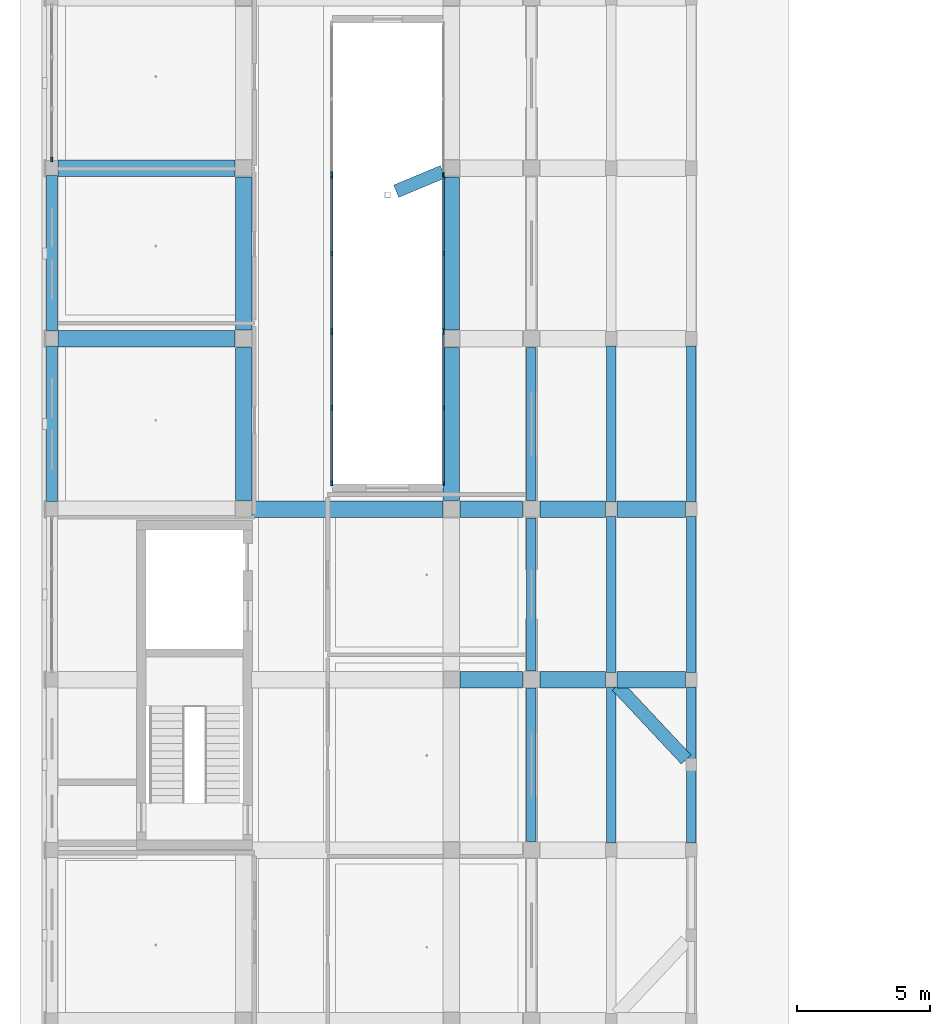
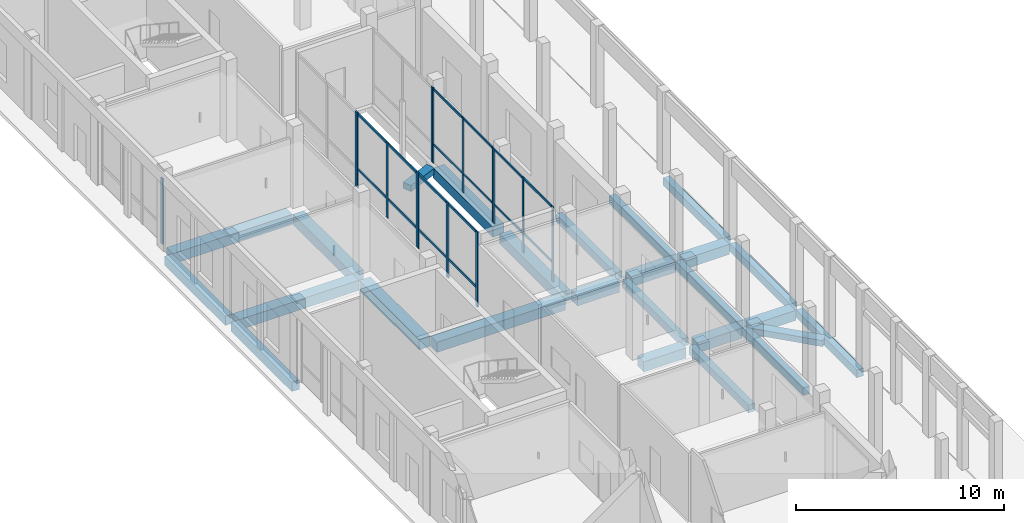
# One storey, part 19 of 88: 26 beams, 23 members, 7 elements without a shape of their own.
"""IFC4 building model written with IfcOpenShell, lengths in metres."""

from ifc_helpers import new_model, si_unit, derived_unit, direction, frame, origin, origin_2d, place, context, subcontext, project, spatial, rectangle, extrude, material, material_profile, profile_set, type_object, element, aggregate, save


model = new_model("IFC4")

# Units and contexts
model_context = context("Model", 3, precision=1e-05, world=origin(), true_north=direction((0.0, 1.0)))
body_context = subcontext(model_context, "Body", "Model", "MODEL_VIEW")
ifc_project = project(units=[si_unit("LENGTHUNIT", "METRE"), si_unit("AREAUNIT", "SQUARE_METRE"), si_unit("VOLUMEUNIT", "CUBIC_METRE"), si_unit("PLANEANGLEUNIT", "RADIAN"), si_unit("MASSUNIT", "GRAM", prefix="KILO"), derived_unit("THERMALTRANSMITTANCEUNIT", [(si_unit("POWERUNIT", "WATT"), 1), (si_unit("LENGTHUNIT", "METRE"), -2), (si_unit("THERMODYNAMICTEMPERATUREUNIT", "KELVIN"), -1)])], contexts=[model_context])

# Site, building, storey
site_placement = place(None, origin())
site = spatial("IfcSite", under=ifc_project, at=site_placement, CompositionType="ELEMENT")
building_placement = place(site_placement, origin())
building = spatial("IfcBuilding", under=site, at=building_placement, Name="Braskholm Square Health Centre", CompositionType="ELEMENT")
storey_placement = place(building_placement, origin())
storey = spatial("IfcBuildingStorey", under=building, at=storey_placement, Name="L01", CompositionType="ELEMENT", Elevation=0.0)

# Curtain wall, members
ifc_material_1 = material(Name="Low-E triple insulating glass (VLT 0.64)", Category="glass")
curtain_wall_type_1 = type_object("IfcCurtainWallType", Name="UnitisedCurtainWall5400x4400", PredefinedType="NOTDEFINED", material=ifc_material_1)
curtain_wall_1_placement = place(storey_placement, origin())
curtain_wall_1 = element("IfcCurtainWall", 1, at=curtain_wall_1_placement, inside=storey, type_object=curtain_wall_type_1, Name="WC1 Court E unitised curtain wall CW-L01-0250", PredefinedType="NOTDEFINED")
ifc_material_2 = material(Name="Architectural bronze anodised aluminium", Category="aluminium")
ifc_material_profile_1 = material_profile(ifc_material_2, rectangle(XDim=0.06494140625, YDim=0.14990234375, at=origin_2d()), Name="ALU-65X150")
ifc_profile_set_1 = profile_set([ifc_material_profile_1], Name="Architectural bronze anodised aluminium")
member_type_1 = type_object("IfcMemberType", Name="CurtainWallMullion65x150", PredefinedType="MULLION", material=ifc_profile_set_1)
member_1_placement = place(storey_placement, frame((18.89990234375, 36.427734375, 0.0), z_axis=(0.0, 0.0, 1.0), x_axis=(1.0, 0.0, 0.0)))
member_1 = element("IfcMember", 2, at=member_1_placement, type_object=member_type_1, Name="CW-L01-0250 vertical mullion 1", PredefinedType="MULLION", context=body_context, shape_type="SweptSolid", body=[
    extrude(rectangle(XDim=0.06494140625, YDim=0.14990234375, at=origin_2d()), origin(), (0.0, 0.0, 1.0), 4.419921875),
])
member_2_placement = place(storey_placement, frame((18.89990234375, 33.60107421875, 0.0), z_axis=(0.0, 0.0, 1.0), x_axis=(1.0, 0.0, 0.0)))
member_2 = element("IfcMember", 3, at=member_2_placement, type_object=member_type_1, Name="CW-L01-0250 vertical mullion 2", PredefinedType="MULLION", context=body_context, shape_type="SweptSolid", body=[
    extrude(rectangle(XDim=0.06494140625, YDim=0.14990234375, at=origin_2d()), origin(), (0.0, 0.0, 1.0), 4.419921875),
])
member_3_placement = place(storey_placement, frame((18.89990234375, 30.7744140625, 0.0), z_axis=(0.0, 0.0, 1.0), x_axis=(1.0, 0.0, 0.0)))
member_3 = element("IfcMember", 4, at=member_3_placement, type_object=member_type_1, Name="CW-L01-0250 vertical mullion 3", PredefinedType="MULLION", context=body_context, shape_type="SweptSolid", body=[
    extrude(rectangle(XDim=0.06494140625, YDim=0.14990234375, at=origin_2d()), origin(), (0.0, 0.0, 1.0), 4.419921875),
])

curtain_wall_type_2 = type_object("IfcCurtainWallType", Name="UnitisedCurtainWall6200x4400", PredefinedType="NOTDEFINED", material=ifc_material_1)
curtain_wall_2_placement = place(storey_placement, origin())
curtain_wall_2 = element("IfcCurtainWall", 5, at=curtain_wall_2_placement, inside=storey, type_object=curtain_wall_type_2, Name="WC1 Court E unitised curtain wall CW-L01-0252", PredefinedType="NOTDEFINED")
member_4_placement = place(storey_placement, frame((18.89990234375, 42.29296875, 0.0), z_axis=(0.0, 0.0, 1.0), x_axis=(1.0, 0.0, 0.0)))
member_4 = element("IfcMember", 6, at=member_4_placement, type_object=member_type_1, Name="CW-L01-0252 vertical mullion 1", PredefinedType="MULLION", context=body_context, shape_type="SweptSolid", body=[
    extrude(rectangle(XDim=0.06494140625, YDim=0.14990234375, at=origin_2d()), origin(), (0.0, 0.0, 1.0), 4.419921875),
])
member_5_placement = place(storey_placement, frame((18.89990234375, 39.39990234375, 0.0), z_axis=(0.0, 0.0, 1.0), x_axis=(1.0, 0.0, 0.0)))
member_5 = element("IfcMember", 7, at=member_5_placement, type_object=member_type_1, Name="CW-L01-0252 vertical mullion 2", PredefinedType="MULLION", context=body_context, shape_type="SweptSolid", body=[
    extrude(rectangle(XDim=0.06494140625, YDim=0.14990234375, at=origin_2d()), origin(), (0.0, 0.0, 1.0), 4.419921875),
])
member_6_placement = place(storey_placement, frame((18.89990234375, 36.507080078125, 0.0), z_axis=(0.0, 0.0, 1.0), x_axis=(1.0, 0.0, 0.0)))
member_6 = element("IfcMember", 8, at=member_6_placement, type_object=member_type_1, Name="CW-L01-0252 vertical mullion 3", PredefinedType="MULLION", context=body_context, shape_type="SweptSolid", body=[
    extrude(rectangle(XDim=0.06494140625, YDim=0.14990234375, at=origin_2d()), origin(), (0.0, 0.0, 1.0), 4.419921875),
])

# Curtain wall, member
curtain_wall_3_placement = place(storey_placement, origin())
curtain_wall_3 = element("IfcCurtainWall", 9, at=curtain_wall_3_placement, inside=storey, type_object=curtain_wall_type_1, Name="WC1 Court E unitised curtain wall CW-L01-0254", PredefinedType="NOTDEFINED")
member_7_placement = place(storey_placement, frame((18.89990234375, 42.372314453125, 0.0), z_axis=(0.0, 0.0, 1.0), x_axis=(1.0, 0.0, 0.0)))
member_7 = element("IfcMember", 10, at=member_7_placement, type_object=member_type_1, Name="CW-L01-0254 vertical mullion 3", PredefinedType="MULLION", context=body_context, shape_type="SweptSolid", body=[
    extrude(rectangle(XDim=0.06494140625, YDim=0.14990234375, at=origin_2d()), origin(), (0.0, 0.0, 1.0), 4.419921875),
])
aggregate(curtain_wall_3, [member_7])

curtain_wall_type_3 = type_object("IfcCurtainWallType", Name="UnitisedCurtainWall6200x3800", PredefinedType="NOTDEFINED", material=ifc_material_1)
curtain_wall_4_placement = place(storey_placement, origin())
curtain_wall_4 = element("IfcCurtainWall", 11, at=curtain_wall_4_placement, inside=storey, type_object=curtain_wall_type_3, Name="West Storefront unitised curtain wall CW-L01-0003", PredefinedType="NOTDEFINED")
ifc_material_profile_2 = material_profile(ifc_material_2, rectangle(XDim=0.074951171875, YDim=0.179931640625, at=origin_2d()), Name="ALU-75X180")
ifc_profile_set_2 = profile_set([ifc_material_profile_2], Name="Architectural bronze anodised aluminium")
member_type_2 = type_object("IfcMemberType", Name="CurtainWallMullion75x180", PredefinedType="MULLION", material=ifc_profile_set_2)
member_8_placement = place(storey_placement, frame((4.199951171875, 42.9248046875, 0.0), z_axis=(0.0, 0.0, 1.0), x_axis=(1.0, 0.0, 0.0)))
member_8 = element("IfcMember", 12, at=member_8_placement, type_object=member_type_2, Name="CW-L01-0003 vertical mullion 4", PredefinedType="MULLION", context=body_context, shape_type="SweptSolid", body=[
    extrude(rectangle(XDim=0.074951171875, YDim=0.179931640625, at=origin_2d()), origin(), (0.0, 0.0, 1.0), 3.8701171875),
])
aggregate(curtain_wall_4, [member_8])

# Curtain wall, members
curtain_wall_5_placement = place(storey_placement, origin())
curtain_wall_5 = element("IfcCurtainWall", 13, at=curtain_wall_5_placement, inside=storey, type_object=curtain_wall_type_1, Name="WC1 Court W unitised curtain wall CW-L01-0249", PredefinedType="NOTDEFINED")
member_9_placement = place(storey_placement, frame((14.699951171875, 30.7744140625, 0.0), z_axis=(0.0, 0.0, 1.0), x_axis=(1.0, 0.0, 0.0)))
member_9 = element("IfcMember", 14, at=member_9_placement, type_object=member_type_2, Name="CW-L01-0249 vertical mullion 1", PredefinedType="MULLION", context=body_context, shape_type="SweptSolid", body=[
    extrude(rectangle(XDim=0.074951171875, YDim=0.179931640625, at=origin_2d()), origin(), (0.0, 0.0, 1.0), 4.419921875),
])
member_10_placement = place(storey_placement, frame((14.699951171875, 33.60107421875, 0.0), z_axis=(0.0, 0.0, 1.0), x_axis=(1.0, 0.0, 0.0)))
member_10 = element("IfcMember", 15, at=member_10_placement, type_object=member_type_2, Name="CW-L01-0249 vertical mullion 2", PredefinedType="MULLION", context=body_context, shape_type="SweptSolid", body=[
    extrude(rectangle(XDim=0.074951171875, YDim=0.179931640625, at=origin_2d()), origin(), (0.0, 0.0, 1.0), 4.419921875),
])
member_11_placement = place(storey_placement, frame((14.699951171875, 36.427734375, 0.0), z_axis=(0.0, 0.0, 1.0), x_axis=(1.0, 0.0, 0.0)))
member_11 = element("IfcMember", 16, at=member_11_placement, type_object=member_type_2, Name="CW-L01-0249 vertical mullion 3", PredefinedType="MULLION", context=body_context, shape_type="SweptSolid", body=[
    extrude(rectangle(XDim=0.074951171875, YDim=0.179931640625, at=origin_2d()), origin(), (0.0, 0.0, 1.0), 4.419921875),
])

curtain_wall_6_placement = place(storey_placement, origin())
curtain_wall_6 = element("IfcCurtainWall", 17, at=curtain_wall_6_placement, inside=storey, type_object=curtain_wall_type_2, Name="WC1 Court W unitised curtain wall CW-L01-0251", PredefinedType="NOTDEFINED")
member_12_placement = place(storey_placement, frame((14.699951171875, 36.507080078125, 0.0), z_axis=(0.0, 0.0, 1.0), x_axis=(1.0, 0.0, 0.0)))
member_12 = element("IfcMember", 18, at=member_12_placement, type_object=member_type_2, Name="CW-L01-0251 vertical mullion 1", PredefinedType="MULLION", context=body_context, shape_type="SweptSolid", body=[
    extrude(rectangle(XDim=0.074951171875, YDim=0.179931640625, at=origin_2d()), origin(), (0.0, 0.0, 1.0), 4.419921875),
])
member_13_placement = place(storey_placement, frame((14.699951171875, 39.39990234375, 0.0), z_axis=(0.0, 0.0, 1.0), x_axis=(1.0, 0.0, 0.0)))
member_13 = element("IfcMember", 19, at=member_13_placement, type_object=member_type_2, Name="CW-L01-0251 vertical mullion 2", PredefinedType="MULLION", context=body_context, shape_type="SweptSolid", body=[
    extrude(rectangle(XDim=0.074951171875, YDim=0.179931640625, at=origin_2d()), origin(), (0.0, 0.0, 1.0), 4.419921875),
])
member_14_placement = place(storey_placement, frame((14.699951171875, 42.29296875, 0.0), z_axis=(0.0, 0.0, 1.0), x_axis=(1.0, 0.0, 0.0)))
member_14 = element("IfcMember", 20, at=member_14_placement, type_object=member_type_2, Name="CW-L01-0251 vertical mullion 3", PredefinedType="MULLION", context=body_context, shape_type="SweptSolid", body=[
    extrude(rectangle(XDim=0.074951171875, YDim=0.179931640625, at=origin_2d()), origin(), (0.0, 0.0, 1.0), 4.419921875),
])

# Curtain wall, member
curtain_wall_7_placement = place(storey_placement, origin())
curtain_wall_7 = element("IfcCurtainWall", 21, at=curtain_wall_7_placement, inside=storey, type_object=curtain_wall_type_1, Name="WC1 Court W unitised curtain wall CW-L01-0253", PredefinedType="NOTDEFINED")
member_15_placement = place(storey_placement, frame((14.699951171875, 42.372314453125, 0.0), z_axis=(0.0, 0.0, 1.0), x_axis=(1.0, 0.0, 0.0)))
member_15 = element("IfcMember", 22, at=member_15_placement, type_object=member_type_2, Name="CW-L01-0253 vertical mullion 1", PredefinedType="MULLION", context=body_context, shape_type="SweptSolid", body=[
    extrude(rectangle(XDim=0.074951171875, YDim=0.179931640625, at=origin_2d()), origin(), (0.0, 0.0, 1.0), 4.419921875),
])
aggregate(curtain_wall_7, [member_15])

# Member
ifc_material_profile_3 = material_profile(ifc_material_2, rectangle(XDim=0.06494140625, YDim=0.1201171875, at=origin_2d()), Name="ALU-65X120")
ifc_profile_set_3 = profile_set([ifc_material_profile_3], Name="Architectural bronze anodised aluminium")
member_type_3 = type_object("IfcMemberType", Name="CurtainWallTransom65x120", PredefinedType="USERDEFINED", material=ifc_profile_set_3)
member_16_placement = place(storey_placement, frame((18.89990234375, 36.4169921875, 1.1201171875), z_axis=(0.0, -1.0, 0.0), x_axis=(1.0, 0.0, 0.0)))
member_16 = element("IfcMember", 23, at=member_16_placement, type_object=member_type_3, Name="CW-L01-0250 horizontal transom 1", ObjectType="TRANSOM", PredefinedType="USERDEFINED", context=body_context, shape_type="SweptSolid", body=[
    extrude(rectangle(XDim=0.06494140625, YDim=0.1201171875, at=origin_2d()), origin(), (0.0, 0.0, 1.0), 5.632080078125),
])

member_17_placement = place(storey_placement, frame((18.89990234375, 36.4169921875, 4.35009765625), z_axis=(0.0, -1.0, 0.0), x_axis=(1.0, 0.0, 0.0)))
member_17 = element("IfcMember", 24, at=member_17_placement, type_object=member_type_3, Name="CW-L01-0250 horizontal transom 2", ObjectType="TRANSOM", PredefinedType="USERDEFINED", context=body_context, shape_type="SweptSolid", body=[
    extrude(rectangle(XDim=0.06494140625, YDim=0.1201171875, at=origin_2d()), origin(), (0.0, 0.0, 1.0), 5.632080078125),
])

aggregate(curtain_wall_1, [member_1, member_2, member_3, member_16, member_17])

member_18_placement = place(storey_placement, frame((18.89990234375, 42.282958984375, 1.1201171875), z_axis=(0.0, -1.0, 0.0), x_axis=(1.0, 0.0, 0.0)))
member_18 = element("IfcMember", 25, at=member_18_placement, type_object=member_type_3, Name="CW-L01-0252 horizontal transom 1", ObjectType="TRANSOM", PredefinedType="USERDEFINED", context=body_context, shape_type="SweptSolid", body=[
    extrude(rectangle(XDim=0.06494140625, YDim=0.1201171875, at=origin_2d()), origin(), (0.0, 0.0, 1.0), 5.765869140625),
])

member_19_placement = place(storey_placement, frame((18.89990234375, 42.282958984375, 4.35009765625), z_axis=(0.0, -1.0, 0.0), x_axis=(1.0, 0.0, 0.0)))
member_19 = element("IfcMember", 26, at=member_19_placement, type_object=member_type_3, Name="CW-L01-0252 horizontal transom 2", ObjectType="TRANSOM", PredefinedType="USERDEFINED", context=body_context, shape_type="SweptSolid", body=[
    extrude(rectangle(XDim=0.06494140625, YDim=0.1201171875, at=origin_2d()), origin(), (0.0, 0.0, 1.0), 5.765869140625),
])

aggregate(curtain_wall_2, [member_4, member_5, member_6, member_18, member_19])

ifc_material_profile_4 = material_profile(ifc_material_2, rectangle(XDim=0.074951171875, YDim=0.139892578125, at=origin_2d()), Name="ALU-75X140")
ifc_profile_set_4 = profile_set([ifc_material_profile_4], Name="Architectural bronze anodised aluminium")
member_type_4 = type_object("IfcMemberType", Name="CurtainWallTransom75x140", PredefinedType="USERDEFINED", material=ifc_profile_set_4)
member_20_placement = place(storey_placement, frame((14.699951171875, 30.784912109375, 1.1201171875), z_axis=(0.0, 1.0, 0.0), x_axis=(-1.0, 0.0, 0.0)))
member_20 = element("IfcMember", 27, at=member_20_placement, type_object=member_type_4, Name="CW-L01-0249 horizontal transom 1", ObjectType="TRANSOM", PredefinedType="USERDEFINED", context=body_context, shape_type="SweptSolid", body=[
    extrude(rectangle(XDim=0.074951171875, YDim=0.139892578125, at=origin_2d()), origin(), (0.0, 0.0, 1.0), 5.632080078125),
])

member_21_placement = place(storey_placement, frame((14.699951171875, 30.784912109375, 4.35009765625), z_axis=(0.0, 1.0, 0.0), x_axis=(-1.0, 0.0, 0.0)))
member_21 = element("IfcMember", 28, at=member_21_placement, type_object=member_type_4, Name="CW-L01-0249 horizontal transom 2", ObjectType="TRANSOM", PredefinedType="USERDEFINED", context=body_context, shape_type="SweptSolid", body=[
    extrude(rectangle(XDim=0.074951171875, YDim=0.139892578125, at=origin_2d()), origin(), (0.0, 0.0, 1.0), 5.632080078125),
])

aggregate(curtain_wall_5, [member_9, member_10, member_11, member_20, member_21])

member_22_placement = place(storey_placement, frame((14.699951171875, 36.51708984375, 1.1201171875), z_axis=(0.0, 1.0, 0.0), x_axis=(-1.0, 0.0, 0.0)))
member_22 = element("IfcMember", 29, at=member_22_placement, type_object=member_type_4, Name="CW-L01-0251 horizontal transom 1", ObjectType="TRANSOM", PredefinedType="USERDEFINED", context=body_context, shape_type="SweptSolid", body=[
    extrude(rectangle(XDim=0.074951171875, YDim=0.139892578125, at=origin_2d()), origin(), (0.0, 0.0, 1.0), 5.765869140625),
])

member_23_placement = place(storey_placement, frame((14.699951171875, 36.51708984375, 4.35009765625), z_axis=(0.0, 1.0, 0.0), x_axis=(-1.0, 0.0, 0.0)))
member_23 = element("IfcMember", 30, at=member_23_placement, type_object=member_type_4, Name="CW-L01-0251 horizontal transom 2", ObjectType="TRANSOM", PredefinedType="USERDEFINED", context=body_context, shape_type="SweptSolid", body=[
    extrude(rectangle(XDim=0.074951171875, YDim=0.139892578125, at=origin_2d()), origin(), (0.0, 0.0, 1.0), 5.765869140625),
])

aggregate(curtain_wall_6, [member_12, member_13, member_14, member_22, member_23])

# Beams
ifc_material_3 = material(Name="Concrete C35/45 (f'c = 35 MPa)", Category="concrete")
ifc_material_profile_5 = material_profile(ifc_material_3, rectangle(XDim=0.5, YDim=0.360107421875, at=origin_2d()), Name="RCB-500X360")
ifc_profile_set_5 = profile_set([ifc_material_profile_5], Name="Concrete C35/45 (f'c = 35 MPa)")
beam_type_1 = type_object("IfcBeamType", Name="PrimaryBandBeam500x360", PredefinedType="BEAM", material=ifc_profile_set_5)
beam_1_placement = place(storey_placement, frame((28.011474609375, 20.401123046875, -0.405029296875), z_axis=(-0.683941128881, 0.72953720414, 0.0), x_axis=(-0.72953720414, -0.683941128881, 0.0)))
element("IfcBeam", 31, at=beam_1_placement, inside=storey, type_object=beam_type_1, Name="Tie beam PIL03 L01", PredefinedType="BEAM", context=body_context, shape_type="SweptSolid", body=[
    extrude(rectangle(XDim=0.5, YDim=0.360107421875, at=origin_2d()), origin(), (0.0, 0.0, 1.0), 3.791015625),
])
beam_2_placement = place(storey_placement, frame((17.123291015625, 41.734619140625, -0.47998046875), z_axis=(0.923054106672, 0.384670139414, 0.0), x_axis=(-0.384670139414, 0.923054106672, 0.0)))
element("IfcBeam", 32, at=beam_2_placement, inside=storey, type_object=beam_type_1, Name="Tie beam CS3C L01", PredefinedType="BEAM", context=body_context, shape_type="SweptSolid", body=[
    extrude(rectangle(XDim=0.5, YDim=0.360107421875, at=origin_2d()), origin(), (0.0, 0.0, 1.0), 1.899658203125),
])
ifc_material_4 = material(Name="Concrete C40/50 (f'c = 40 MPa)", Category="concrete")
ifc_material_profile_6 = material_profile(ifc_material_4, rectangle(XDim=0.6201171875, YDim=0.60009765625, at=origin_2d()), Name="RCB-620X600")
ifc_profile_set_6 = profile_set([ifc_material_profile_6], Name="Concrete C40/50 (f'c = 40 MPa)")
beam_type_2 = type_object("IfcBeamType", Name="PrimarySubstructureBeam620x600", PredefinedType="BEAM", material=ifc_profile_set_6)
for number, where, z_axis, x_axis, name in (
    (33, (11.39990234375, 30.125, -0.60009765625), (0.0, 1.0, 0.0), (-1.0, 0.0, 0.0), "Beam 2/E-F L01"),
    (34, (11.39990234375, 36.52490234375, -0.60009765625), (0.0, 1.0, 0.0), (-1.0, 0.0, 0.0), "Beam 2/F-G L01"),
    (35, (19.199951171875, 30.125, -0.60009765625), (0.0, 1.0, 0.0), (-1.0, 0.0, 0.0), "Beam 3/E-F L01"),
    (36, (19.199951171875, 36.52490234375, -0.60009765625), (0.0, 1.0, 0.0), (-1.0, 0.0, 0.0), "Beam 3/F-G L01"),
):
    element("IfcBeam", number, at=place(storey_placement, frame(where, z_axis=z_axis, x_axis=x_axis)), inside=storey, type_object=beam_type_2, Name=name, PredefinedType="BEAM", context=body_context, shape_type="SweptSolid", body=[
        extrude(rectangle(XDim=0.6201171875, YDim=0.60009765625, at=origin_2d()), origin(), (0.0, 0.0, 1.0), 5.75),
    ])
beam_3_placement = place(storey_placement, frame((19.52490234375, 23.39990234375, -0.60009765625), z_axis=(1.0, 0.0, 0.0), x_axis=(0.0, 1.0, 0.0)))
element("IfcBeam", 37, at=beam_3_placement, inside=storey, type_object=beam_type_2, Name="Beam 3-4/D L01", PredefinedType="BEAM", context=body_context, shape_type="SweptSolid", body=[
    extrude(rectangle(XDim=0.6201171875, YDim=0.60009765625, at=origin_2d()), origin(), (0.0, 0.0, 1.0), 2.35009765625),
])
beam_4_placement = place(storey_placement, frame((22.52490234375, 23.39990234375, -0.52490234375), z_axis=(1.0, 0.0, 0.0), x_axis=(0.0, 1.0, 0.0)))
element("IfcBeam", 38, at=beam_4_placement, inside=storey, type_object=beam_type_2, Name="Beam 4-5/D L01", PredefinedType="BEAM", context=body_context, shape_type="SweptSolid", body=[
    extrude(rectangle(XDim=0.6201171875, YDim=0.60009765625, at=origin_2d()), origin(), (0.0, 0.0, 1.0), 2.455078125),
])
beam_5_placement = place(storey_placement, frame((25.419921875, 23.39990234375, -0.52490234375), z_axis=(1.0, 0.0, 0.0), x_axis=(0.0, 1.0, 0.0)))
element("IfcBeam", 39, at=beam_5_placement, inside=storey, type_object=beam_type_2, Name="Beam 5-6/D L01", PredefinedType="BEAM", context=body_context, shape_type="SweptSolid", body=[
    extrude(rectangle(XDim=0.6201171875, YDim=0.60009765625, at=origin_2d()), origin(), (0.0, 0.0, 1.0), 2.56005859375),
])
beam_6_placement = place(storey_placement, frame((11.72509765625, 29.800048828125, -0.60009765625), z_axis=(1.0, 0.0, 0.0), x_axis=(0.0, 1.0, 0.0)))
element("IfcBeam", 40, at=beam_6_placement, inside=storey, type_object=beam_type_2, Name="Beam 2-3/E L01", PredefinedType="BEAM", context=body_context, shape_type="SweptSolid", body=[
    extrude(rectangle(XDim=0.6201171875, YDim=0.60009765625, at=origin_2d()), origin(), (0.0, 0.0, 1.0), 7.14990234375),
])
beam_7_placement = place(storey_placement, frame((19.52490234375, 29.800048828125, -0.60009765625), z_axis=(1.0, 0.0, 0.0), x_axis=(0.0, 1.0, 0.0)))
element("IfcBeam", 41, at=beam_7_placement, inside=storey, type_object=beam_type_2, Name="Beam 3-4/E L01", PredefinedType="BEAM", context=body_context, shape_type="SweptSolid", body=[
    extrude(rectangle(XDim=0.6201171875, YDim=0.60009765625, at=origin_2d()), origin(), (0.0, 0.0, 1.0), 2.35009765625),
])
beam_8_placement = place(storey_placement, frame((22.52490234375, 29.800048828125, -0.52490234375), z_axis=(1.0, 0.0, 0.0), x_axis=(0.0, 1.0, 0.0)))
element("IfcBeam", 42, at=beam_8_placement, inside=storey, type_object=beam_type_2, Name="Beam 4-5/E L01", PredefinedType="BEAM", context=body_context, shape_type="SweptSolid", body=[
    extrude(rectangle(XDim=0.6201171875, YDim=0.60009765625, at=origin_2d()), origin(), (0.0, 0.0, 1.0), 2.455078125),
])
beam_9_placement = place(storey_placement, frame((25.419921875, 29.800048828125, -0.52490234375), z_axis=(1.0, 0.0, 0.0), x_axis=(0.0, 1.0, 0.0)))
element("IfcBeam", 43, at=beam_9_placement, inside=storey, type_object=beam_type_2, Name="Beam 5-6/E L01", PredefinedType="BEAM", context=body_context, shape_type="SweptSolid", body=[
    extrude(rectangle(XDim=0.6201171875, YDim=0.60009765625, at=origin_2d()), origin(), (0.0, 0.0, 1.0), 2.56005859375),
])
for number, where, z_axis, x_axis, name in (
    (44, (4.429931640625, 36.199951171875, -0.60009765625), (1.0, 0.0, 0.0), (0.0, 1.0, 0.0), "Beam 1-2/F L01"),
    (45, (4.429931640625, 42.60009765625, -0.60009765625), (1.0, 0.0, 0.0), (0.0, 1.0, 0.0), "Beam 1-2/G L01"),
):
    element("IfcBeam", number, at=place(storey_placement, frame(where, z_axis=z_axis, x_axis=x_axis)), inside=storey, type_object=beam_type_2, Name=name, PredefinedType="BEAM", context=body_context, shape_type="SweptSolid", body=[
        extrude(rectangle(XDim=0.6201171875, YDim=0.60009765625, at=origin_2d()), origin(), (0.0, 0.0, 1.0), 6.64501953125),
    ])
ifc_material_5 = material(Name="Precast concrete C40/50 architectural white", Category="concrete")
ifc_material_profile_7 = material_profile(ifc_material_5, rectangle(XDim=0.419921875, YDim=0.550048828125, at=origin_2d()), Name="RCB-420X550")
ifc_profile_set_7 = profile_set([ifc_material_profile_7], Name="Precast concrete C40/50 architectural white")
beam_type_3 = type_object("IfcBeamType", Name="SpandrelPrecastLedge420x550", PredefinedType="SPANDREL", material=ifc_profile_set_7)
beam_10_placement = place(storey_placement, frame((4.199951171875, 30.080078125, -0.574951171875), z_axis=(0.0, 1.0, 0.0), x_axis=(-1.0, 0.0, 0.0)))
element("IfcBeam", 46, at=beam_10_placement, inside=storey, type_object=beam_type_3, Name="Beam 1/E-F L01", PredefinedType="SPANDREL", context=body_context, shape_type="SweptSolid", body=[
    extrude(rectangle(XDim=0.419921875, YDim=0.550048828125, at=origin_2d()), origin(), (0.0, 0.0, 1.0), 5.83984375),
])
beam_11_placement = place(storey_placement, frame((4.199951171875, 36.47998046875, -0.574951171875), z_axis=(0.0, 1.0, 0.0), x_axis=(-1.0, 0.0, 0.0)))
element("IfcBeam", 47, at=beam_11_placement, inside=storey, type_object=beam_type_3, Name="Beam 1/F-G L01", PredefinedType="SPANDREL", context=body_context, shape_type="SweptSolid", body=[
    extrude(rectangle(XDim=0.419921875, YDim=0.550048828125, at=origin_2d()), origin(), (0.0, 0.0, 1.0), 5.840087890625),
])
ifc_material_profile_8 = material_profile(ifc_material_5, rectangle(XDim=0.360107421875, YDim=0.4599609375, at=origin_2d()), Name="RCB-360X460")
ifc_profile_set_8 = profile_set([ifc_material_profile_8], Name="Precast concrete C40/50 architectural white")
beam_type_4 = type_object("IfcBeamType", Name="SpandrelTerraceEdge360x460", PredefinedType="SPANDREL", material=ifc_profile_set_8)
for number, where, z_axis, x_axis, name in (
    (48, (22.199951171875, 17.324951171875, -0.455078125), (0.0, 1.0, 0.0), (-1.0, 0.0, 0.0), "Beam 4/C-D L01"),
    (49, (22.199951171875, 23.72509765625, -0.455078125), (0.0, 1.0, 0.0), (-1.0, 0.0, 0.0), "Beam 4/D-E L01"),
    (50, (22.199951171875, 30.125, -0.455078125), (0.0, 1.0, 0.0), (-1.0, 0.0, 0.0), "Beam 4/E-F L01"),
):
    element("IfcBeam", number, at=place(storey_placement, frame(where, z_axis=z_axis, x_axis=x_axis)), inside=storey, type_object=beam_type_4, Name=name, PredefinedType="SPANDREL", context=body_context, shape_type="SweptSolid", body=[
        extrude(rectangle(XDim=0.360107421875, YDim=0.4599609375, at=origin_2d()), origin(), (0.0, 0.0, 1.0), 5.75),
    ])
beam_12_placement = place(storey_placement, frame((25.199951171875, 17.27001953125, -0.455078125), z_axis=(0.0, 1.0, 0.0), x_axis=(-1.0, 0.0, 0.0)))
element("IfcBeam", 51, at=beam_12_placement, inside=storey, type_object=beam_type_4, Name="Beam 5/C-D L01", PredefinedType="SPANDREL", context=body_context, shape_type="SweptSolid", body=[
    extrude(rectangle(XDim=0.360107421875, YDim=0.4599609375, at=origin_2d()), origin(), (0.0, 0.0, 1.0), 5.85986328125),
])
beam_13_placement = place(storey_placement, frame((25.199951171875, 23.669921875, -0.455078125), z_axis=(0.0, 1.0, 0.0), x_axis=(-1.0, 0.0, 0.0)))
element("IfcBeam", 52, at=beam_13_placement, inside=storey, type_object=beam_type_4, Name="Beam 5/D-E L01", PredefinedType="SPANDREL", context=body_context, shape_type="SweptSolid", body=[
    extrude(rectangle(XDim=0.360107421875, YDim=0.4599609375, at=origin_2d()), origin(), (0.0, 0.0, 1.0), 5.860107421875),
])
for number, where, z_axis, x_axis, name in (
    (53, (25.199951171875, 30.070068359375, -0.455078125), (0.0, 1.0, 0.0), (-1.0, 0.0, 0.0), "Beam 5/E-F L01"),
    (54, (28.199951171875, 17.27001953125, -0.455078125), (0.0, 1.0, 0.0), (-1.0, 0.0, 0.0), "Beam 6/C-D L01"),
):
    element("IfcBeam", number, at=place(storey_placement, frame(where, z_axis=z_axis, x_axis=x_axis)), inside=storey, type_object=beam_type_4, Name=name, PredefinedType="SPANDREL", context=body_context, shape_type="SweptSolid", body=[
        extrude(rectangle(XDim=0.360107421875, YDim=0.4599609375, at=origin_2d()), origin(), (0.0, 0.0, 1.0), 5.85986328125),
    ])
beam_14_placement = place(storey_placement, frame((28.199951171875, 23.669921875, -0.455078125), z_axis=(0.0, 1.0, 0.0), x_axis=(-1.0, 0.0, 0.0)))
element("IfcBeam", 55, at=beam_14_placement, inside=storey, type_object=beam_type_4, Name="Beam 6/D-E L01", PredefinedType="SPANDREL", context=body_context, shape_type="SweptSolid", body=[
    extrude(rectangle(XDim=0.360107421875, YDim=0.4599609375, at=origin_2d()), origin(), (0.0, 0.0, 1.0), 5.860107421875),
])
beam_15_placement = place(storey_placement, frame((28.199951171875, 30.070068359375, -0.455078125), z_axis=(0.0, 1.0, 0.0), x_axis=(-1.0, 0.0, 0.0)))
element("IfcBeam", 56, at=beam_15_placement, inside=storey, type_object=beam_type_4, Name="Beam 6/E-F L01", PredefinedType="SPANDREL", context=body_context, shape_type="SweptSolid", body=[
    extrude(rectangle(XDim=0.360107421875, YDim=0.4599609375, at=origin_2d()), origin(), (0.0, 0.0, 1.0), 5.85986328125),
])

save(model, "model.ifc")
